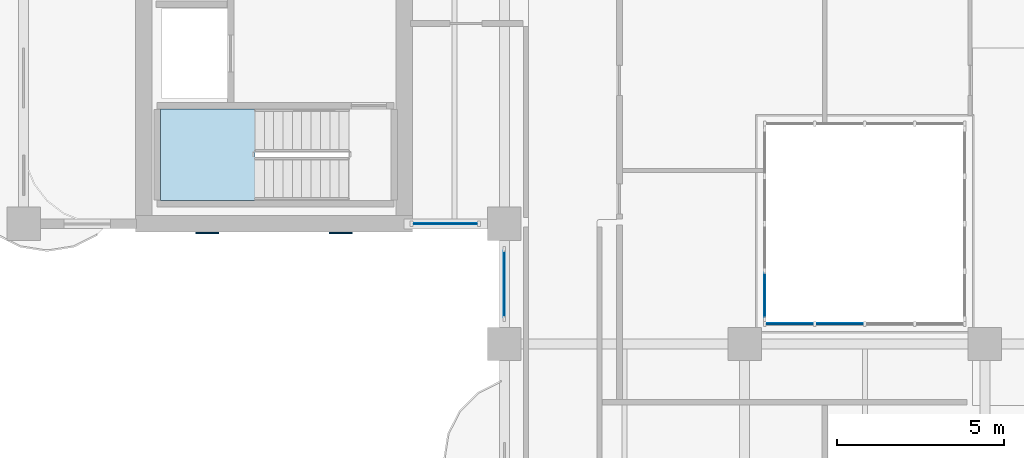
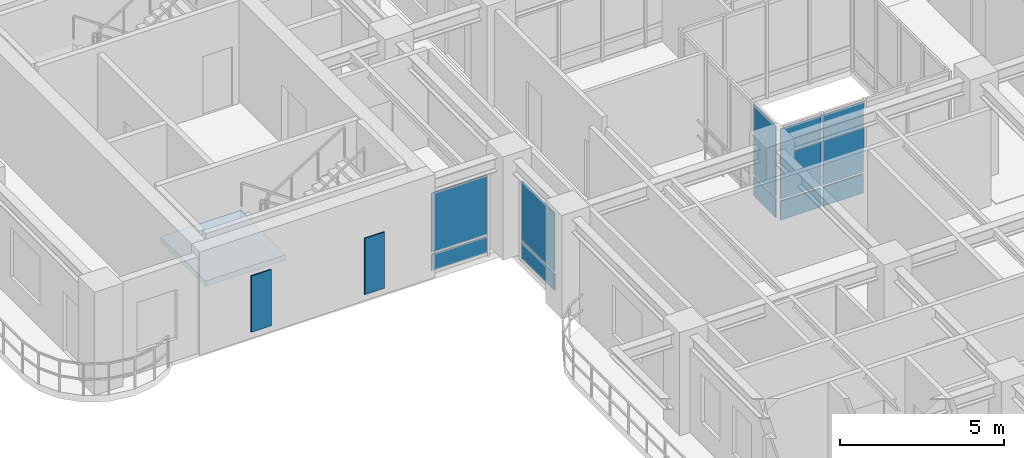
# One storey, part 8 of 20: 12 plates, 1 slab, 5 elements without a shape of their own.
"""IFC4 building model written with IfcOpenShell, lengths in metres."""

from ifc_helpers import new_model, si_unit, derived_unit, direction, frame, origin, origin_2d, place, context, subcontext, project, spatial, polyline, rectangle, outline, extrude, source, transform, mapped, material, layer, layer_set, type_object, type_shapes, element, aggregate, save


model = new_model("IFC4")

# Units and contexts
model_context = context("Model", 3, precision=1e-05, world=origin(), true_north=direction((0.0, 1.0)))
body_context = subcontext(model_context, "Body", "Model", "MODEL_VIEW")
ifc_project = project(units=[si_unit("LENGTHUNIT", "METRE"), si_unit("AREAUNIT", "SQUARE_METRE"), si_unit("VOLUMEUNIT", "CUBIC_METRE"), si_unit("PLANEANGLEUNIT", "RADIAN"), si_unit("MASSUNIT", "GRAM", prefix="KILO"), si_unit("THERMODYNAMICTEMPERATUREUNIT", "KELVIN"), si_unit("POWERUNIT", "WATT"), derived_unit("THERMALTRANSMITTANCEUNIT", [(si_unit("POWERUNIT", "WATT"), 1), (si_unit("AREAUNIT", "SQUARE_METRE"), -1), (si_unit("THERMODYNAMICTEMPERATUREUNIT", "KELVIN"), -1)])], contexts=[model_context])

# Site, building, storey
site_placement = place(None, origin())
site = spatial("IfcSite", under=ifc_project, at=site_placement, CompositionType="ELEMENT")
building_placement = place(site_placement, origin())
building = spatial("IfcBuilding", under=site, at=building_placement, Name="Zahravan Archway Hotel and Residences", CompositionType="ELEMENT")
storey_placement = place(building_placement, frame((0.0, 0.0, 173.39990234375)))
storey = spatial("IfcBuildingStorey", under=building, at=storey_placement, Name="L43", CompositionType="ELEMENT", Elevation=173.39990234375)

# Stair, slab
ifc_material_1 = material(Name="Concrete C50/60", Category="concrete")
stair_type = type_object("IfcStairType", Name="STR-CORE-1300", PredefinedType="HALF_TURN_STAIR", material=ifc_material_1)
stair_placement = place(storey_placement, origin())
stair = element("IfcStair", 1, at=stair_placement, inside=storey, type_object=stair_type, Name="L43 Core B Exit Stair 1", PredefinedType="HALF_TURN_STAIR")
ifc_layer_1 = layer(ifc_material_1, 0.199951171875, Name="Concrete C50/60", Category="concrete")
ifc_layer_set_1 = layer_set([ifc_layer_1], Name="Concrete C50/60")
slab_type = type_object("IfcSlabType", Name="SLB-LND-200", PredefinedType="LANDING", material=ifc_layer_set_1)
slab_placement = place(storey_placement, frame((0.0, 0.0, 1.72509765625)))
slab = element("IfcSlab", 2, at=slab_placement, type_object=slab_type, Name="ST-B1 landing 1", PredefinedType="LANDING", context=body_context, shape_type="SweptSolid", body=[
    extrude(outline(polyline([(6.929931640625, 28.639892578125), (4.10009765625, 28.639892578125), (4.10009765625, 25.89990234375), (6.929931640625, 25.89990234375), (6.929931640625, 28.639892578125)])), origin(), (0.0, 0.0, 1.0), 0.199951171875),
])
aggregate(stair, [slab])

# Plates
ifc_material_2 = material(Name="Perforated Cast Bronze Jali Lattice")
ifc_layer_2 = layer(ifc_material_2, 0.044921875, Name="Perforated Cast Bronze Jali Lattice")
ifc_layer_set_2 = layer_set([ifc_layer_2], Name="Perforated Cast Bronze Jali Lattice")
plate_type_1 = type_object("IfcPlateType", Name="PLT-JALI-BAY", PredefinedType="USERDEFINED", material=ifc_layer_set_2)
shared_shape_1 = source(origin(), body_context, "Body", "SweptSolid", [
    extrude(rectangle(XDim=0.699951171875, YDim=0.044921875, at=origin_2d()), origin(), (0.0, 0.0, 1.0), 2.10009765625),
])
type_shapes(plate_type_1, [shared_shape_1])
for number, where, z_axis, x_axis, name in (
    (3, (5.5, 24.931884765625, 0.25), (0.0, 0.0, 1.0), (1.0, 0.0, 0.0), "L43 Core B South Mughal Jali Screen 1"),
    (4, (9.5, 24.931884765625, 0.25), (0.0, 0.0, 1.0), (1.0, 0.0, 0.0), "L43 Core B South Mughal Jali Screen 2"),
):
    element("IfcPlate", number, at=place(storey_placement, frame(where, z_axis=z_axis, x_axis=x_axis)), inside=storey, type_object=plate_type_1, Name=name, ObjectType="SCREEN", PredefinedType="USERDEFINED", context=body_context, shape_type="MappedRepresentation", body=[
        mapped(shared_shape_1, transform((0.0, 0.0, 0.0), scale=1.0)),
    ])

# Curtain wall, plates
ifc_material_3 = material(Name="Bronze-Anodized Unitised Aluminium & Low-E Glass", Category="aluminium")
ifc_layer_3 = layer(ifc_material_3, 0.179931640625, Name="Bronze-Anodized Unitised Aluminium & Low-E Glass", Category="aluminium")
ifc_layer_set_3 = layer_set([ifc_layer_3], Name="Bronze-Anodized Unitised Aluminium & Low-E Glass")
curtain_wall_type = type_object("IfcCurtainWallType", Name="CW-ATR-GLAZ", PredefinedType="NOTDEFINED", material=ifc_layer_set_3)
curtain_wall_1_placement = place(storey_placement, origin())
curtain_wall_1 = element("IfcCurtainWall", 5, at=curtain_wall_1_placement, inside=storey, type_object=curtain_wall_type, Name="L43 Curtain Wall CW-ATR-L43-S-1", PredefinedType="NOTDEFINED")
ifc_material_4 = material(Name="Insulated Terracotta Spandrel Panel", Category="masonry")
ifc_layer_4 = layer(ifc_material_4, 0.0400390625, Name="Insulated Terracotta Spandrel Panel", Category="masonry")
ifc_layer_set_4 = layer_set([ifc_layer_4], Name="Insulated Terracotta Spandrel Panel")
plate_type_2 = type_object("IfcPlateType", Name="CWP-SPN-40", PredefinedType="SHEET", material=ifc_layer_set_4)
shared_shape_2 = source(origin(), body_context, "Body", "SweptSolid", [
    extrude(rectangle(XDim=1.419921875, YDim=0.0400390625, at=origin_2d()), origin(), (0.0, 0.0, 1.0), 0.7099609375),
])
plate_1_placement = place(storey_placement, frame((22.949951171875, 22.199951171875, 0.10009765625), z_axis=(0.0, 0.0, 1.0), x_axis=(1.0, 0.0, 0.0)))
plate_1 = element("IfcPlate", 6, at=plate_1_placement, type_object=plate_type_2, Name="CW-ATR-L43-S-1 Spandrel Panel 0", PredefinedType="SHEET", context=body_context, shape_type="MappedRepresentation", body=[
    mapped(shared_shape_2, transform((0.0, 0.0, 0.0), scale=1.0)),
])
plate_2_placement = place(storey_placement, frame((24.449951171875, 22.199951171875, 0.10009765625), z_axis=(0.0, 0.0, 1.0), x_axis=(1.0, 0.0, 0.0)))
plate_2 = element("IfcPlate", 7, at=plate_2_placement, type_object=plate_type_2, Name="CW-ATR-L43-S-1 Spandrel Panel 1", PredefinedType="SHEET", context=body_context, shape_type="MappedRepresentation", body=[
    mapped(shared_shape_2, transform((0.0, 0.0, 0.0), scale=1.0)),
])

# Curtain wall, plate
curtain_wall_2_placement = place(storey_placement, origin())
curtain_wall_2 = element("IfcCurtainWall", 8, at=curtain_wall_2_placement, inside=storey, type_object=curtain_wall_type, Name="L43 Curtain Wall CW-ATR-L43-W-1", PredefinedType="NOTDEFINED")
shared_shape_3 = source(origin(), body_context, "Body", "SweptSolid", [
    extrude(rectangle(XDim=1.344970703125, YDim=0.0400390625, at=origin_2d()), origin(), (0.0, 0.0, 1.0), 0.7099609375),
])
plate_3_placement = place(storey_placement, frame((22.199951171875, 23.0625, 0.10009765625), z_axis=(0.0, 0.0, 1.0), x_axis=(0.0, 1.0, 0.0)))
plate_3 = element("IfcPlate", 9, at=plate_3_placement, type_object=plate_type_2, Name="CW-ATR-L43-W-1 Spandrel Panel 0", PredefinedType="SHEET", context=body_context, shape_type="MappedRepresentation", body=[
    mapped(shared_shape_3, transform((0.0, 0.0, 0.0), scale=1.0)),
])

# Curtain wall, plates
curtain_wall_3_placement = place(storey_placement, origin())
curtain_wall_3 = element("IfcCurtainWall", 10, at=curtain_wall_3_placement, inside=storey, type_object=curtain_wall_type, Name="L43 Curtain Wall CW-L43-WA-WLU-1", PredefinedType="NOTDEFINED")
shared_shape_4 = source(origin(), body_context, "Body", "SweptSolid", [
    extrude(rectangle(XDim=2.0, YDim=0.0400390625, at=origin_2d()), origin(), (0.0, 0.0, 1.0), 0.600341796875),
])
plate_4_placement = place(storey_placement, frame((14.39990234375, 23.39990234375, 0.10009765625), z_axis=(0.0, 0.0, 1.0), x_axis=(0.0, 1.0, 0.0)))
plate_4 = element("IfcPlate", 11, at=plate_4_placement, type_object=plate_type_2, Name="CW-L43-WA-WLU-1 Spandrel Panel 0", PredefinedType="SHEET", context=body_context, shape_type="MappedRepresentation", body=[
    mapped(shared_shape_4, transform((0.0, 0.0, 0.0), scale=1.0)),
])
ifc_material_5 = material(Name="Double-Silver Low-E Insulated Vision Glass", Category="glass")
ifc_layer_5 = layer(ifc_material_5, 0.028076171875, Name="Double-Silver Low-E Insulated Vision Glass", Category="glass")
ifc_layer_set_5 = layer_set([ifc_layer_5], Name="Double-Silver Low-E Insulated Vision Glass")
plate_type_3 = type_object("IfcPlateType", Name="CWP-GLZ-28", PredefinedType="CURTAIN_PANEL", material=ifc_layer_set_5)
shared_shape_5 = source(origin(), body_context, "Body", "SweptSolid", [
    extrude(rectangle(XDim=2.0, YDim=0.028076171875, at=origin_2d()), origin(), (0.0, 0.0, 1.0), 2.20458984375),
])
plate_5_placement = place(storey_placement, frame((14.39990234375, 23.39990234375, 0.780517578125), z_axis=(0.0, 0.0, 1.0), x_axis=(0.0, 1.0, 0.0)))
plate_5 = element("IfcPlate", 12, at=plate_5_placement, type_object=plate_type_3, Name="CW-L43-WA-WLU-1 Low-E Vision Panel 0", PredefinedType="CURTAIN_PANEL", context=body_context, shape_type="MappedRepresentation", body=[
    mapped(shared_shape_5, transform((0.0, 0.0, 0.0), scale=1.0)),
])
aggregate(curtain_wall_3, [plate_4, plate_5])

curtain_wall_4_placement = place(storey_placement, origin())
curtain_wall_4 = element("IfcCurtainWall", 13, at=curtain_wall_4_placement, inside=storey, type_object=curtain_wall_type, Name="L43 Curtain Wall CW-L43-WB-SE-1", PredefinedType="NOTDEFINED")
shared_shape_6 = source(origin(), body_context, "Body", "SweptSolid", [
    extrude(rectangle(XDim=1.93994140625, YDim=0.0400390625, at=origin_2d()), origin(), (0.0, 0.0, 1.0), 0.600341796875),
])
plate_6_placement = place(storey_placement, frame((12.6298828125, 25.199951171875, 0.10009765625), z_axis=(0.0, 0.0, 1.0), x_axis=(1.0, 0.0, 0.0)))
plate_6 = element("IfcPlate", 14, at=plate_6_placement, type_object=plate_type_2, Name="CW-L43-WB-SE-1 Spandrel Panel 0", PredefinedType="SHEET", context=body_context, shape_type="MappedRepresentation", body=[
    mapped(shared_shape_6, transform((0.0, 0.0, 0.0), scale=1.0)),
])
shared_shape_7 = source(origin(), body_context, "Body", "SweptSolid", [
    extrude(rectangle(XDim=1.93994140625, YDim=0.028076171875, at=origin_2d()), origin(), (0.0, 0.0, 1.0), 2.20458984375),
])
plate_7_placement = place(storey_placement, frame((12.6298828125, 25.199951171875, 0.780517578125), z_axis=(0.0, 0.0, 1.0), x_axis=(1.0, 0.0, 0.0)))
plate_7 = element("IfcPlate", 15, at=plate_7_placement, type_object=plate_type_3, Name="CW-L43-WB-SE-1 Low-E Vision Panel 0", PredefinedType="CURTAIN_PANEL", context=body_context, shape_type="MappedRepresentation", body=[
    mapped(shared_shape_7, transform((0.0, 0.0, 0.0), scale=1.0)),
])
aggregate(curtain_wall_4, [plate_6, plate_7])

# Plate
shared_shape_8 = source(origin(), body_context, "Body", "SweptSolid", [
    extrude(rectangle(XDim=1.419921875, YDim=0.028076171875, at=origin_2d()), origin(), (0.0, 0.0, 1.0), 2.610107421875),
])
plate_8_placement = place(storey_placement, frame((22.949951171875, 22.199951171875, 0.89013671875), z_axis=(0.0, 0.0, 1.0), x_axis=(1.0, 0.0, 0.0)))
plate_8 = element("IfcPlate", 16, at=plate_8_placement, type_object=plate_type_3, Name="CW-ATR-L43-S-1 Low-E Vision Panel 0", PredefinedType="CURTAIN_PANEL", context=body_context, shape_type="MappedRepresentation", body=[
    mapped(shared_shape_8, transform((0.0, 0.0, 0.0), scale=1.0)),
])

plate_9_placement = place(storey_placement, frame((24.449951171875, 22.199951171875, 0.89013671875), z_axis=(0.0, 0.0, 1.0), x_axis=(1.0, 0.0, 0.0)))
plate_9 = element("IfcPlate", 17, at=plate_9_placement, type_object=plate_type_3, Name="CW-ATR-L43-S-1 Low-E Vision Panel 1", PredefinedType="CURTAIN_PANEL", context=body_context, shape_type="MappedRepresentation", body=[
    mapped(shared_shape_8, transform((0.0, 0.0, 0.0), scale=1.0)),
])

aggregate(curtain_wall_1, [plate_1, plate_8, plate_2, plate_9])

shared_shape_9 = source(origin(), body_context, "Body", "SweptSolid", [
    extrude(rectangle(XDim=1.344970703125, YDim=0.028076171875, at=origin_2d()), origin(), (0.0, 0.0, 1.0), 2.610107421875),
])
plate_10_placement = place(storey_placement, frame((22.199951171875, 23.0625, 0.89013671875), z_axis=(0.0, 0.0, 1.0), x_axis=(0.0, 1.0, 0.0)))
plate_10 = element("IfcPlate", 18, at=plate_10_placement, type_object=plate_type_3, Name="CW-ATR-L43-W-1 Low-E Vision Panel 0", PredefinedType="CURTAIN_PANEL", context=body_context, shape_type="MappedRepresentation", body=[
    mapped(shared_shape_9, transform((0.0, 0.0, 0.0), scale=1.0)),
])

aggregate(curtain_wall_2, [plate_3, plate_10])

save(model, "model.ifc")
